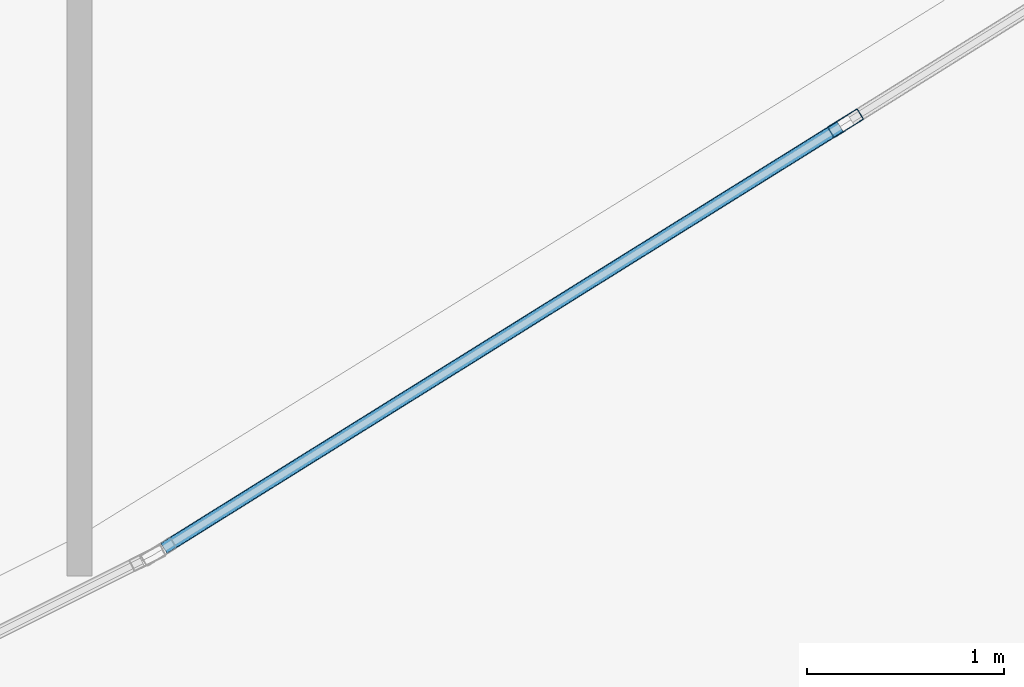
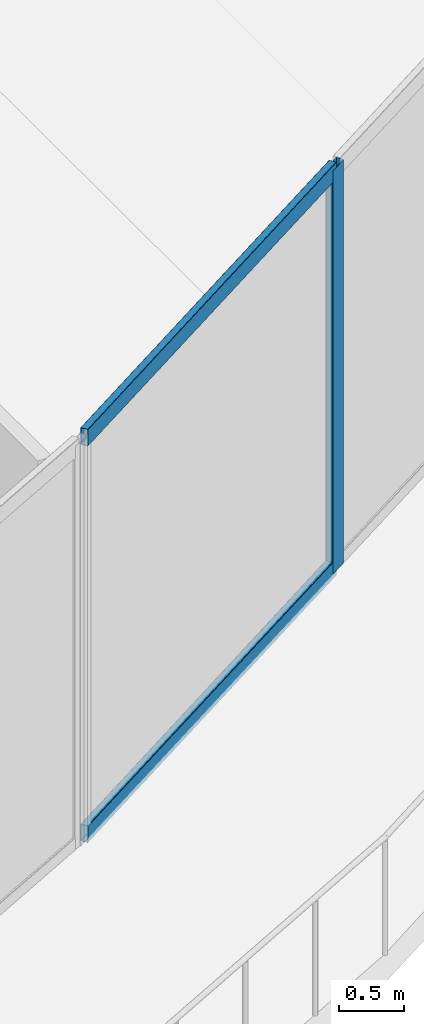
# One storey, part 10 of 39: 3 members, 1 element without a shape of its own.
"""IFC4 building model written with IfcOpenShell, lengths in metres."""

from ifc_helpers import new_model, si_unit, direction, frame, origin, origin_2d, place, context, subcontext, project, spatial, hollow_rectangle, extrude, material, layer, layer_set, material_profile, profile_set, type_object, element, aggregate, save


model = new_model("IFC4")

# Units and contexts
model_context = context("Model", 3, precision=1e-05, world=origin(), true_north=direction((0.0, 1.0)))
body_context = subcontext(model_context, "Body", "Model", "MODEL_VIEW")
ifc_project = project(units=[si_unit("LENGTHUNIT", "METRE"), si_unit("AREAUNIT", "SQUARE_METRE"), si_unit("VOLUMEUNIT", "CUBIC_METRE"), si_unit("PLANEANGLEUNIT", "RADIAN"), si_unit("MASSUNIT", "GRAM", prefix="KILO")], contexts=[model_context])

# Site, building, storey
site_placement = place(None, origin())
site = spatial("IfcSite", under=ifc_project, at=site_placement, CompositionType="ELEMENT")
building_placement = place(site_placement, origin())
building = spatial("IfcBuilding", under=site, at=building_placement, Name="Qorvath Tower", CompositionType="ELEMENT")
storey_placement = place(building_placement, frame((0.0, 0.0, 201.0)))
storey = spatial("IfcBuildingStorey", under=building, at=storey_placement, Name="L46", CompositionType="ELEMENT", Elevation=201.0)

# Curtain wall, members
ifc_material_1 = material(Name="Anodised aluminium and triple low-E glass", Category="aluminium")
ifc_layer = layer(ifc_material_1, 0.179931640625)
ifc_layer_set = layer_set([ifc_layer], Name="CW-SYS-3")
curtain_wall_type = type_object("IfcCurtainWallType", Name="CW-SYS-3", PredefinedType="NOTDEFINED", material=ifc_layer_set)
curtain_wall_placement = place(storey_placement, origin())
curtain_wall = element("IfcCurtainWall", 1, at=curtain_wall_placement, inside=storey, type_object=curtain_wall_type, Name="Curtain Wall CW-3 CW-T-L46-4.1", PredefinedType="NOTDEFINED")
ifc_material_2 = material(Name="Anodised aluminium 6063-T6", Category="aluminium")
ifc_material_profile_1 = material_profile(ifc_material_2, hollow_rectangle(XDim=0.06494140625, YDim=0.179931640625, WallThickness=0.00341796875, InnerFilletRadius=0.00341796875, OuterFilletRadius=0.007080078125, at=origin_2d()), Name="CWM 180x65")
ifc_profile_set_1 = profile_set([ifc_material_profile_1], Name="Anodised aluminium 6063-T6")
member_type_1 = type_object("IfcMemberType", Name="CWM-180", PredefinedType="MULLION", material=ifc_profile_set_1)
member_1_placement = place(storey_placement, frame((-9.25341796875, -23.590576171875, 0.0), z_axis=(0.0, 0.0, 1.0), x_axis=(-0.529206179006, 0.848493264618, 0.0)))
member_1 = element("IfcMember", 2, at=member_1_placement, type_object=member_type_1, Name="CW-3 mullion 2", PredefinedType="MULLION", context=body_context, shape_type="SweptSolid", body=[
    extrude(hollow_rectangle(XDim=0.06494140625, YDim=0.179931640625, WallThickness=0.00341796875, InnerFilletRadius=0.00341796875, OuterFilletRadius=0.007080078125, at=origin_2d()), origin(), (0.0, 0.0, 1.0), 3.780029296875),
])
ifc_material_3 = material(Name="Anodised aluminium 6063-T6", Category="aluminium")
ifc_material_profile_2 = material_profile(ifc_material_3, hollow_rectangle(XDim=0.06494140625, YDim=0.159912109375, WallThickness=0.00341796875, InnerFilletRadius=0.00341796875, OuterFilletRadius=0.007080078125, at=origin_2d()), Name="CWT 160x65")
ifc_profile_set_2 = profile_set([ifc_material_profile_2], Name="Anodised aluminium 6063-T6")
member_type_2 = type_object("IfcMemberType", Name="CWT-160", PredefinedType="USERDEFINED", material=ifc_profile_set_2)
member_2_placement = place(storey_placement, frame((-12.720458984375, -25.7529296875, 0.032470703125), z_axis=(0.848512223459, 0.529175780474, 0.0), x_axis=(-0.529175780474, 0.848512223459, 0.0)))
member_2 = element("IfcMember", 3, at=member_2_placement, type_object=member_type_2, Name="CW-3 transom 1.1", ObjectType="TRANSOM", PredefinedType="USERDEFINED", context=body_context, shape_type="SweptSolid", body=[
    extrude(hollow_rectangle(XDim=0.06494140625, YDim=0.159912109375, WallThickness=0.00341796875, InnerFilletRadius=0.00341796875, OuterFilletRadius=0.007080078125, at=origin_2d()), origin(), (0.0, 0.0, 1.0), 4.053466796875),
])
member_3_placement = place(storey_placement, frame((-12.720458984375, -25.7529296875, 3.74755859375), z_axis=(0.848512223459, 0.529175780474, 0.0), x_axis=(-0.529175780474, 0.848512223459, 0.0)))
member_3 = element("IfcMember", 4, at=member_3_placement, type_object=member_type_2, Name="CW-3 transom 1.2", ObjectType="TRANSOM", PredefinedType="USERDEFINED", context=body_context, shape_type="SweptSolid", body=[
    extrude(hollow_rectangle(XDim=0.06494140625, YDim=0.159912109375, WallThickness=0.00341796875, InnerFilletRadius=0.00341796875, OuterFilletRadius=0.007080078125, at=origin_2d()), origin(), (0.0, 0.0, 1.0), 4.053466796875),
])
aggregate(curtain_wall, [member_1, member_2, member_3])

save(model, "model.ifc")
